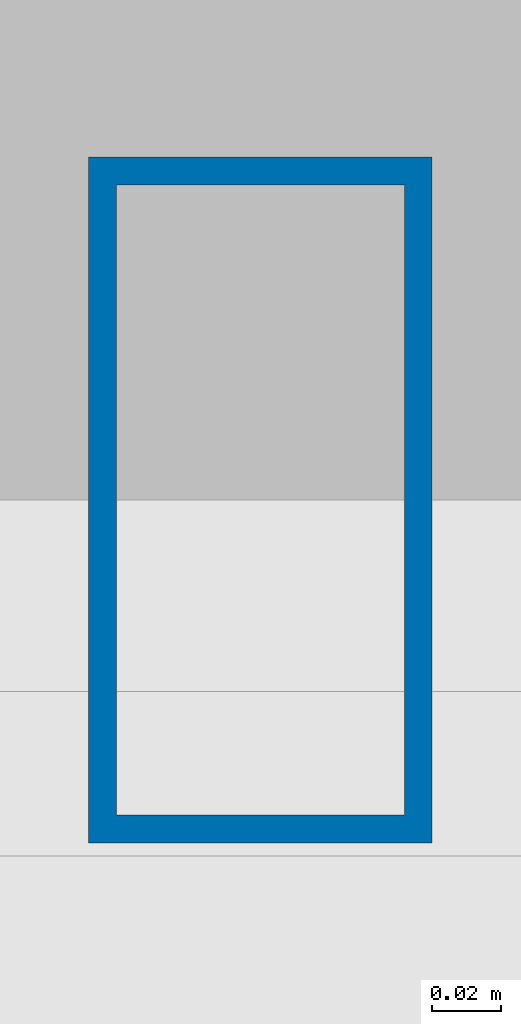
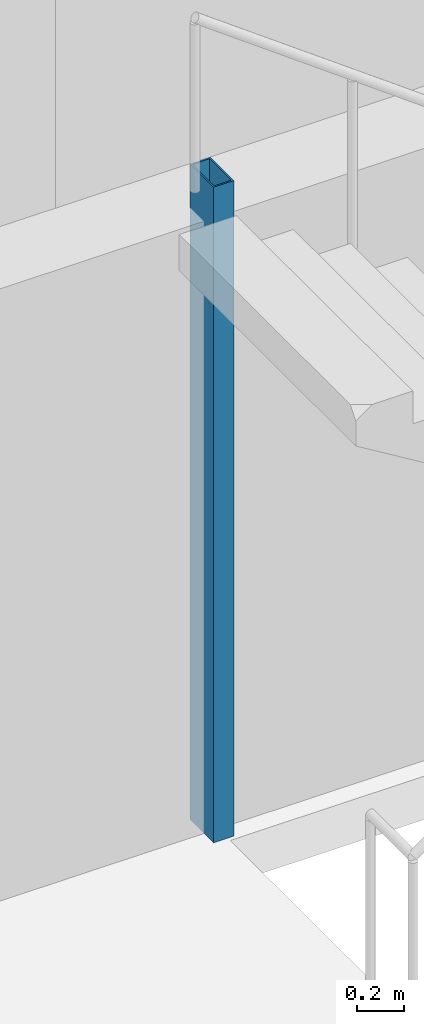
# One storey, part 2 of 20: 1 column.
"""IFC4 building model written with IfcOpenShell, lengths in metres."""

from ifc_helpers import new_model, si_unit, direction, frame, origin, origin_2d, place, context, subcontext, project, spatial, hollow_rectangle, extrude, material, material_profile, profile_set, type_object, element, save


model = new_model("IFC4")

# Units and contexts
model_context = context("Model", 3, precision=1e-05, world=origin(), true_north=direction((0.0, 1.0)))
body_context = subcontext(model_context, "Body", "Model", "MODEL_VIEW")
ifc_project = project(units=[si_unit("LENGTHUNIT", "METRE"), si_unit("AREAUNIT", "SQUARE_METRE"), si_unit("VOLUMEUNIT", "CUBIC_METRE"), si_unit("PLANEANGLEUNIT", "RADIAN"), si_unit("MASSUNIT", "GRAM", prefix="KILO")], contexts=[model_context])

# Site, building, storey
site_placement = place(None, origin())
site = spatial("IfcSite", under=ifc_project, at=site_placement, CompositionType="ELEMENT")
building_placement = place(site_placement, origin())
building = spatial("IfcBuilding", under=site, at=building_placement, Name="Menara Jurai Vektor", CompositionType="ELEMENT")
storey_placement = place(building_placement, frame((0.0, 0.0, 175.199951171875)))
storey = spatial("IfcBuildingStorey", under=building, at=storey_placement, Name="L45", CompositionType="ELEMENT", Elevation=175.199951171875)

# Column
ifc_material = material(Name="Steel S355", Category="steel")
ifc_material_profile = material_profile(ifc_material, hollow_rectangle(XDim=0.10009765625, YDim=0.199951171875, WallThickness=0.008056640625, at=origin_2d()), Name="RHS 200x100x8")
ifc_profile_set = profile_set([ifc_material_profile], Name="Steel S355")
column_type = type_object("IfcColumnType", Name="STR-COL-STAIR", PredefinedType="COLUMN", material=ifc_profile_set)
column_placement = place(storey_placement, frame((-11.1201171875, 5.419921875, 0.0), z_axis=(0.0, 0.0, 1.0), x_axis=(1.0, 0.0, 0.0)))
element("IfcColumn", 1, at=column_placement, inside=storey, type_object=column_type, Name="Stair Well Header Column ST1-P2 L45", PredefinedType="COLUMN", context=body_context, shape_type="SweptSolid", body=[
    extrude(hollow_rectangle(XDim=0.10009765625, YDim=0.199951171875, WallThickness=0.008056640625, at=origin_2d()), origin(), (0.0, 0.0, 1.0), 3.400146484375),
])

save(model, "model.ifc")
